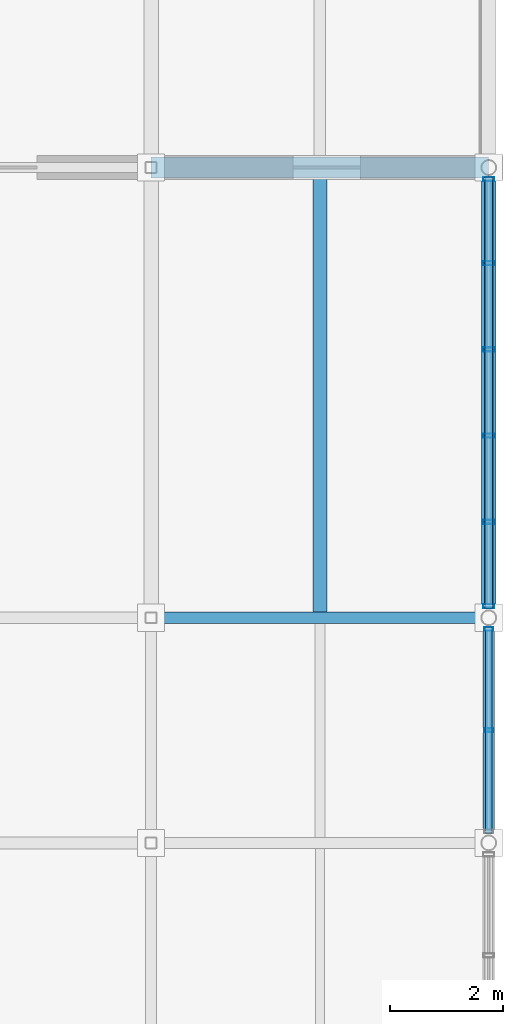
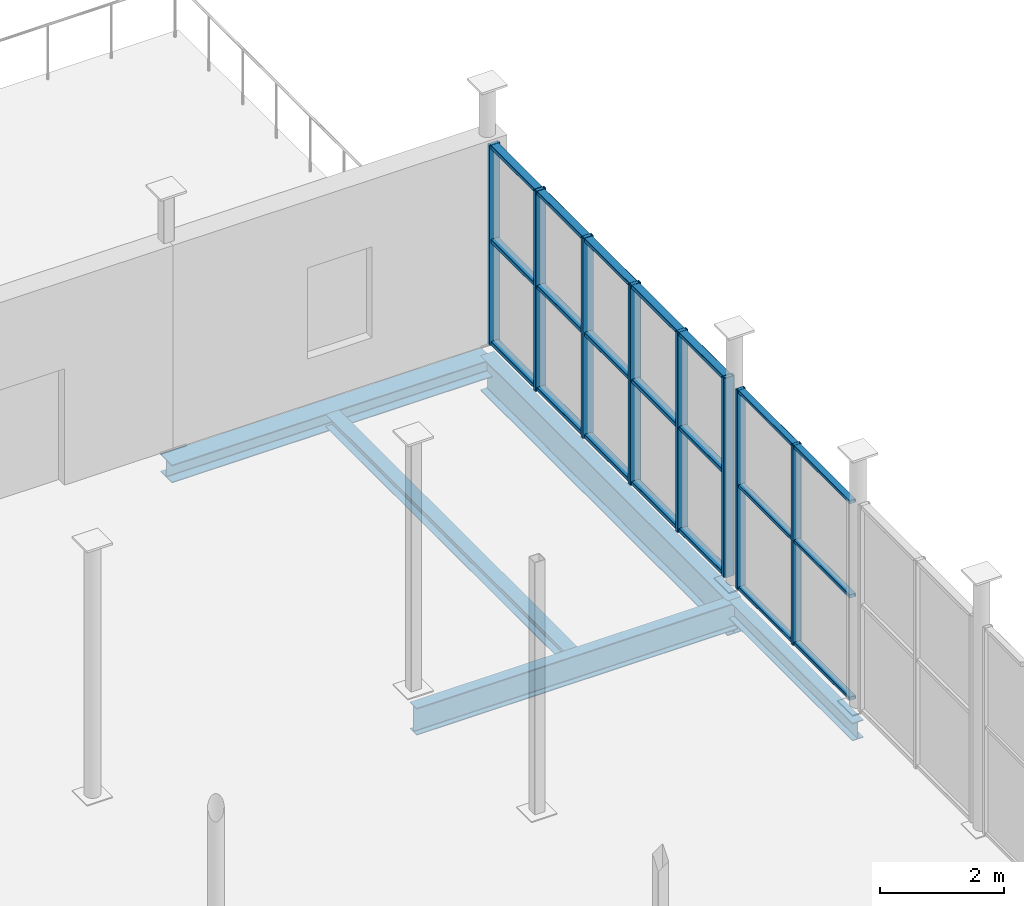
# One storey, part 18 of 27: 14 members, 5 beams, 2 elements without a shape of their own.
"""IFC4 building model written with IfcOpenShell, lengths in metres."""

import ifcopenshell
import ifcopenshell.guid

model = None  # the IFC model being written
_history = None  # IfcOwnerHistory: only IFC2X3 demands one
_inside = {}  # id of a spatial element -> (the spatial element, [elements in it])
_under = {}  # id of a project, library or spatial element -> (it, [spatial elements below it])
_declared = {}  # id of a project -> (the project, [libraries it declares])
_typed = {}  # id of a type object -> (the type object, [elements of that type])
_made_of = {}  # id of a material, layer set ... -> (it, [elements and type objects made of it])


def new_model(schema):
    """Start an empty IFC model of exactly this schema.

    Asked for "IFC4X3", IfcOpenShell would pick the latest addendum, in which some entities
    have other attributes; the version numbers below select the first issue.
    IFC2X3 requires an IfcOwnerHistory on every rooted entity: one is made here for all.
    """
    global model, _history
    if schema == "IFC4X3":
        model = ifcopenshell.file(schema_version=(4, 3, 0, 0))
    else:
        model = ifcopenshell.file(schema=schema)
    _inside.clear()
    _under.clear()
    _declared.clear()
    _typed.clear()
    _made_of.clear()
    _history = None
    if model.schema == "IFC2X3":
        org = make("IfcOrganization", Name="unknown")
        user = make(
            "IfcPersonAndOrganization",
            ThePerson=make("IfcPerson", FamilyName="unknown"),
            TheOrganization=org,
        )
        app = make(
            "IfcApplication",
            ApplicationDeveloper=org,
            Version="unknown",
            ApplicationFullName="unknown",
            ApplicationIdentifier="unknown",
        )
        _history = make(
            "IfcOwnerHistory",
            OwningUser=user,
            OwningApplication=app,
            ChangeAction="ADDED",
            CreationDate=0,
        )
    return model


def make(cls, **values):
    """One entity of the class cls with the attributes given. An attribute that is None is left unset."""
    return model.create_entity(
        cls, **{name: value for name, value in values.items() if value is not None}
    )


def rooted(cls, **values):
    """An entity with a GlobalId (a new one), such as an element, a storey or a relation."""
    return make(cls, GlobalId=ifcopenshell.guid.new(), OwnerHistory=_history, **values)


def si_unit(unit_type, name, prefix=None):
    """IfcSIUnit, for example si_unit("LENGTHUNIT", "METRE", prefix="MILLI")."""
    return make("IfcSIUnit", UnitType=unit_type, Prefix=prefix, Name=name)


def assignment(units):
    """IfcUnitAssignment: the units of a project."""
    return None if units is None else make("IfcUnitAssignment", Units=units)


def point(xyz):
    """IfcCartesianPoint."""
    return None if xyz is None else make("IfcCartesianPoint", Coordinates=xyz)


def direction(xyz):
    """IfcDirection."""
    return None if xyz is None else make("IfcDirection", DirectionRatios=xyz)


def frame(location, z_axis=None, x_axis=None):
    """IfcAxis2Placement3D, a coordinate frame: its origin and axes. An axis left out is left unset."""
    return make(
        "IfcAxis2Placement3D",
        Location=point(location),
        Axis=direction(z_axis),
        RefDirection=direction(x_axis),
    )


def frame_2d(location, x_axis=None):
    """IfcAxis2Placement2D, a coordinate frame in the plane: its origin and x axis."""
    return make(
        "IfcAxis2Placement2D", Location=point(location), RefDirection=direction(x_axis)
    )


def origin():
    """The frame at (0, 0, 0) with its axes left unset."""
    return frame((0.0, 0.0, 0.0))


def origin_2d():
    """The frame at (0, 0) in the plane with its x axis left unset."""
    return frame_2d((0.0, 0.0))


def place(relative_to, where):
    """IfcLocalPlacement: puts the frame where relative to a parent placement (None: the world)."""
    return make(
        "IfcLocalPlacement", PlacementRelTo=relative_to, RelativePlacement=where
    )


def context(
    kind, dimensions, precision=None, world=None, true_north=None, identifier=None
):
    """IfcGeometricRepresentationContext, for example the 3D "Model" context."""
    return make(
        "IfcGeometricRepresentationContext",
        ContextIdentifier=identifier,
        ContextType=kind,
        CoordinateSpaceDimension=dimensions,
        Precision=precision,
        WorldCoordinateSystem=world,
        TrueNorth=true_north,
    )


def subcontext(parent, identifier, kind, view, scale=None):
    """IfcGeometricRepresentationSubContext, for example "Body" below "Model"."""
    return make(
        "IfcGeometricRepresentationSubContext",
        ContextIdentifier=identifier,
        ContextType=kind,
        ParentContext=parent,
        TargetScale=scale,
        TargetView=view,
    )


def project(units=None, contexts=None):
    """IfcProject with its units and contexts."""
    return rooted(
        "IfcProject",
        Name="project",
        RepresentationContexts=contexts,
        UnitsInContext=assignment(units),
    )


def spatial(cls, under=None, at=None, **own):
    """A site, building, storey or space (cls), placed at a placement, below another one or the project."""
    s = rooted(cls, ObjectPlacement=at, **own)
    if under is not None:
        _under.setdefault(under.id(), (under, []))[1].append(s)
    return s


def profile(cls, at=None, kind="AREA", **sizes):
    """A parametric profile (cls). Its sizes go by their IFC names, for example OverallWidth=200.0."""
    return make(cls, ProfileType=kind, Position=at, **sizes)


def hollow_rectangle(**sizes):
    """IfcRectangleHollowProfileDef."""
    return profile("IfcRectangleHollowProfileDef", **sizes)


def i_section(**sizes):
    """IfcIShapeProfileDef."""
    return profile("IfcIShapeProfileDef", **sizes)


def extrude(swept, where, along, depth):
    """IfcExtrudedAreaSolid: the profile swept, set in the frame where, extruded along a direction by depth."""
    return make(
        "IfcExtrudedAreaSolid",
        SweptArea=swept,
        Position=where,
        ExtrudedDirection=direction(along),
        Depth=depth,
    )


def shape(context_of_items, identifier, shape_type, items):
    """IfcShapeRepresentation: the items that make up one representation, for example the "Body"."""
    return make(
        "IfcShapeRepresentation",
        ContextOfItems=context_of_items,
        RepresentationIdentifier=identifier,
        RepresentationType=shape_type,
        Items=items,
    )


def material(Name=None, Category=None):
    """IfcMaterial."""
    return make("IfcMaterial", Name=Name, Category=Category)


def material_profile(
    of_material, cross_section, Name=None, Category=None, Priority=None
):
    """IfcMaterialProfile: a cross section and its material."""
    return make(
        "IfcMaterialProfile",
        Name=Name,
        Material=of_material,
        Profile=cross_section,
        Priority=Priority,
        Category=Category,
    )


def profile_set(profiles, Name=None, composite=None):
    """IfcMaterialProfileSet."""
    return make(
        "IfcMaterialProfileSet",
        Name=Name,
        MaterialProfiles=profiles,
        CompositeProfile=composite,
    )


def made_of(thing, what):
    """Note that an element or type object is made of a material, layer set ...; save() writes the relation."""
    if what is not None:
        _made_of.setdefault(what.id(), (what, []))[1].append(thing)
    return thing


def type_object(cls, material=None, **own):
    """A type object (cls), such as IfcWallType, which elements share."""
    return made_of(rooted(cls, **own), material)


def element(
    cls,
    number,
    at=None,
    inside=None,
    cuts=None,
    type_object=None,
    material=None,
    context=None,
    identifier="Body",
    shape_type=None,
    held_by="IfcProductDefinitionShape",
    body=None,
    shapes=None,
    **own,
):
    """One element of the class cls, such as IfcWall. Its Tag is "e" and its number.

    at: its placement. inside: the storey or other place that contains it. cuts: it is an
    opening in that element (IfcRelVoidsElement). A single representation is given by context,
    identifier, shape_type and body (its items); several are given by shapes. held_by: the class
    of the entity that holds the representations. save() writes the other relations.
    """
    e = rooted(cls, Tag="e%d" % number, ObjectPlacement=at, **own)
    if body is not None:
        shapes = [shape(context, identifier, shape_type, body)]
    if shapes is not None:
        e.Representation = make(held_by, Representations=shapes)
    if inside is not None:
        _inside.setdefault(inside.id(), (inside, []))[1].append(e)
    if cuts is not None:
        rooted(
            "IfcRelVoidsElement", RelatingBuildingElement=cuts, RelatedOpeningElement=e
        )
    if type_object is not None:
        _typed.setdefault(type_object.id(), (type_object, []))[1].append(e)
    return made_of(e, material)


def aggregate(whole, parts):
    """IfcRelAggregates: a whole, such as a stair, and the parts it consists of."""
    return rooted("IfcRelAggregates", RelatingObject=whole, RelatedObjects=parts)


def save(model, path):
    """Write the relations noted so far, then the file.

    IfcRelAggregates (storeys below a building ...), IfcRelContainedInSpatialStructure (elements
    in a storey), IfcRelDefinesByType, IfcRelAssociatesMaterial and IfcRelDeclares: one each for
    every whole, place, type object, material and project.
    """
    for whole, parts in _under.values():
        aggregate(whole, parts)
    for where, things in _inside.values():
        rooted(
            "IfcRelContainedInSpatialStructure",
            RelatedElements=things,
            RelatingStructure=where,
        )
    for kind, things in _typed.values():
        rooted("IfcRelDefinesByType", RelatedObjects=things, RelatingType=kind)
    for what, things in _made_of.values():
        rooted("IfcRelAssociatesMaterial", RelatedObjects=things, RelatingMaterial=what)
    for by, libraries in _declared.values():
        rooted("IfcRelDeclares", RelatingContext=by, RelatedDefinitions=libraries)
    model.write(path)


model = new_model("IFC4")

# Units and contexts
model_context = context("Model", 3, precision=1e-05, world=origin(), true_north=direction((0.0, 1.0)))
body_context = subcontext(model_context, "Body", "Model", "MODEL_VIEW")
ifc_project = project(units=[si_unit("LENGTHUNIT", "METRE"), si_unit("AREAUNIT", "SQUARE_METRE"), si_unit("VOLUMEUNIT", "CUBIC_METRE"), si_unit("PLANEANGLEUNIT", "RADIAN"), si_unit("MASSUNIT", "GRAM", prefix="KILO")], contexts=[model_context])

# Site, building, storey
site_placement = place(None, origin())
site = spatial("IfcSite", under=ifc_project, at=site_placement, CompositionType="ELEMENT")
building_placement = place(site_placement, origin())
building = spatial("IfcBuilding", under=site, at=building_placement, Name="Verrall Gate Interchange", CompositionType="ELEMENT")
storey_placement = place(building_placement, frame((0.0, 0.0, 23.60009765625)))
storey = spatial("IfcBuildingStorey", under=building, at=storey_placement, Name="L06", CompositionType="ELEMENT", Elevation=23.60009765625)

# Beams
ifc_material_1 = material(Name="Structural Steel CSA G40.21 350WT Cat 4", Category="steel")
ifc_material_profile_1 = material_profile(ifc_material_1, i_section(OverallWidth=0.256103515625, OverallDepth=0.693115234375, WebThickness=0.01318359375, FlangeThickness=0.02001953125, FilletRadius=0.01611328125, at=origin_2d()), Name="W690x170")
ifc_profile_set_1 = profile_set([ifc_material_profile_1], Name="Structural Steel CSA G40.21 350WT Cat 4")
beam_type_1 = type_object("IfcBeamType", Name="B-07 Structural Beam W690x170", PredefinedType="BEAM", material=ifc_profile_set_1)
beam_1_placement = place(storey_placement, frame((36.0, 48.0, -0.676513671875), z_axis=(0.0, 1.0, 0.0), x_axis=(-1.0, 0.0, 0.0)))
element("IfcBeam", 1, at=beam_1_placement, inside=storey, type_object=beam_type_1, Name="L06 Girder BM-L06-3182 (B-07)", PredefinedType="BEAM", context=body_context, shape_type="SweptSolid", body=[
    extrude(i_section(OverallWidth=0.256103515625, OverallDepth=0.693115234375, WebThickness=0.01318359375, FlangeThickness=0.02001953125, FilletRadius=0.01611328125, at=origin_2d()), origin(), (0.0, 0.0, 1.0), 8.0),
])
ifc_material_2 = material(Name="Structural Steel CSA G40.21 350W", Category="steel")
ifc_material_profile_2 = material_profile(ifc_material_2, i_section(OverallWidth=0.2109375, OverallDepth=0.5390625, WebThickness=0.01171875, FlangeThickness=0.018798828125, FilletRadius=0.013916015625, at=origin_2d()), Name="W530x109")
ifc_profile_set_2 = profile_set([ifc_material_profile_2], Name="Structural Steel CSA G40.21 350W")
beam_type_2 = type_object("IfcBeamType", Name="B-10 Structural Beam W530x109", PredefinedType="BEAM", material=ifc_profile_set_2)
beam_2_placement = place(storey_placement, frame((30.0, 48.0, -0.599609375), z_axis=(1.0, 0.0, 0.0), x_axis=(0.0, 1.0, 0.0)))
element("IfcBeam", 2, at=beam_2_placement, inside=storey, type_object=beam_type_2, Name="L06 Girder BM-L06-3103 (B-10)", PredefinedType="BEAM", context=body_context, shape_type="SweptSolid", body=[
    extrude(i_section(OverallWidth=0.2109375, OverallDepth=0.5390625, WebThickness=0.01171875, FlangeThickness=0.018798828125, FilletRadius=0.013916015625, at=origin_2d()), origin(), (0.0, 0.0, 1.0), 6.0),
])
ifc_material_3 = material(Name="Structural Steel CSA G40.21 350W", Category="steel")
ifc_material_profile_3 = material_profile(ifc_material_3, i_section(OverallWidth=0.368896484375, OverallDepth=0.35595703125, WebThickness=0.01123046875, FlangeThickness=0.01806640625, FilletRadius=0.014892578125, at=origin_2d()), Name="W360x134")
ifc_profile_set_3 = profile_set([ifc_material_profile_3], Name="Structural Steel CSA G40.21 350W")
beam_type_3 = type_object("IfcBeamType", Name="B-13 Structural Beam W360x134", PredefinedType="BEAM", material=ifc_profile_set_3)
beam_3_placement = place(storey_placement, frame((30.0, 56.0, -0.508056640625), z_axis=(1.0, 0.0, 0.0), x_axis=(0.0, 1.0, 0.0)))
element("IfcBeam", 3, at=beam_3_placement, inside=storey, type_object=beam_type_3, Name="L06 Girder BM-L06-3107 (B-13)", PredefinedType="BEAM", context=body_context, shape_type="SweptSolid", body=[
    extrude(i_section(OverallWidth=0.368896484375, OverallDepth=0.35595703125, WebThickness=0.01123046875, FlangeThickness=0.01806640625, FilletRadius=0.014892578125, at=origin_2d()), origin(), (0.0, 0.0, 1.0), 6.0),
])
ifc_material_4 = material(Name="Structural Steel CSA G40.21 350W", Category="steel")
ifc_material_profile_4 = material_profile(ifc_material_4, i_section(OverallWidth=0.205078125, OverallDepth=0.35400390625, WebThickness=0.009521484375, FlangeThickness=0.016845703125, FilletRadius=0.012939453125, at=origin_2d()), Name="W360x79")
ifc_profile_set_4 = profile_set([ifc_material_profile_4], Name="Structural Steel CSA G40.21 350W")
beam_type_4 = type_object("IfcBeamType", Name="B-14 Structural Beam W360x79", PredefinedType="BEAM", material=ifc_profile_set_4)
beam_4_placement = place(storey_placement, frame((36.0, 44.0, -0.507080078125), z_axis=(0.0, 1.0, 0.0), x_axis=(-1.0, 0.0, 0.0)))
element("IfcBeam", 4, at=beam_4_placement, inside=storey, type_object=beam_type_4, Name="L06 Girder BM-L06-3181 (B-14)", PredefinedType="BEAM", context=body_context, shape_type="SweptSolid", body=[
    extrude(i_section(OverallWidth=0.205078125, OverallDepth=0.35400390625, WebThickness=0.009521484375, FlangeThickness=0.016845703125, FilletRadius=0.012939453125, at=origin_2d()), origin(), (0.0, 0.0, 1.0), 4.0),
])

# Curtain wall, members
ifc_material_5 = material(Name="Thermally Broken Anodized Aluminium Curtain Wall Framing", Category="aluminium")
curtain_wall_type_1 = type_object("IfcCurtainWallType", Name="CW-48 Unitized Curtain Wall 3663x3950", PredefinedType="NOTDEFINED", material=ifc_material_5)
curtain_wall_1_placement = place(storey_placement, origin())
curtain_wall_1 = element("IfcCurtainWall", 5, at=curtain_wall_1_placement, inside=storey, type_object=curtain_wall_type_1, Name="L06 Unitized Curtain Wall CW-L06-150", PredefinedType="NOTDEFINED")
ifc_material_6 = material(Name="Thermally Broken Anodized Aluminium Curtain Wall Framing", Category="aluminium")
ifc_material_profile_5 = material_profile(ifc_material_6, hollow_rectangle(XDim=0.06494140625, YDim=0.159912109375, WallThickness=0.00390625, InnerFilletRadius=0.00390625, OuterFilletRadius=0.008056640625, at=origin_2d()), Name="CWM160x65x4")
ifc_profile_set_5 = profile_set([ifc_material_profile_5], Name="Thermally Broken Anodized Aluminium Curtain Wall Framing")
member_type_1 = type_object("IfcMemberType", Name="CM-01 Curtain Mullion CWM160x65x4", PredefinedType="MULLION", material=ifc_profile_set_5)
member_1_placement = place(storey_placement, frame((36.0, 46.0, 0.0), z_axis=(0.0, 0.0, 1.0), x_axis=(0.0, 1.0, 0.0)))
member_1 = element("IfcMember", 6, at=member_1_placement, type_object=member_type_1, Name="CW-L06-150 Mullion 2", PredefinedType="MULLION", context=body_context, shape_type="SweptSolid", body=[
    extrude(hollow_rectangle(XDim=0.06494140625, YDim=0.159912109375, WallThickness=0.00390625, InnerFilletRadius=0.00390625, OuterFilletRadius=0.008056640625, at=origin_2d()), origin(), (0.0, 0.0, 1.0), 3.949951171875),
])
member_2_placement = place(storey_placement, frame((36.0, 47.798828125, 0.0), z_axis=(0.0, 0.0, 1.0), x_axis=(0.0, 1.0, 0.0)))
member_2 = element("IfcMember", 7, at=member_2_placement, type_object=member_type_1, Name="CW-L06-150 Mullion 3", PredefinedType="MULLION", context=body_context, shape_type="SweptSolid", body=[
    extrude(hollow_rectangle(XDim=0.06494140625, YDim=0.159912109375, WallThickness=0.00390625, InnerFilletRadius=0.00390625, OuterFilletRadius=0.008056640625, at=origin_2d()), origin(), (0.0, 0.0, 1.0), 3.949951171875),
])

ifc_material_7 = material(Name="Thermally Broken Anodized Aluminium Curtain Wall Framing", Category="aluminium")
curtain_wall_type_2 = type_object("IfcCurtainWallType", Name="CW-49 Unitized Curtain Wall 7663x3950", PredefinedType="NOTDEFINED", material=ifc_material_7)
curtain_wall_2_placement = place(storey_placement, origin())
curtain_wall_2 = element("IfcCurtainWall", 8, at=curtain_wall_2_placement, inside=storey, type_object=curtain_wall_type_2, Name="L06 Unitized Curtain Wall CW-L06-151", PredefinedType="NOTDEFINED")
ifc_material_8 = material(Name="Thermally Broken Anodized Aluminium Curtain Wall Framing", Category="aluminium")
ifc_material_profile_6 = material_profile(ifc_material_8, hollow_rectangle(XDim=0.074951171875, YDim=0.199951171875, WallThickness=0.0048828125, InnerFilletRadius=0.0048828125, OuterFilletRadius=0.010009765625, at=origin_2d()), Name="CWM200x75x5")
ifc_profile_set_6 = profile_set([ifc_material_profile_6], Name="Thermally Broken Anodized Aluminium Curtain Wall Framing")
member_type_2 = type_object("IfcMemberType", Name="CM-02 Curtain Mullion CWM200x75x5", PredefinedType="MULLION", material=ifc_profile_set_6)
member_3_placement = place(storey_placement, frame((36.0, 48.2060546875, 0.0), z_axis=(0.0, 0.0, 1.0), x_axis=(0.0, 1.0, 0.0)))
member_3 = element("IfcMember", 9, at=member_3_placement, type_object=member_type_2, Name="CW-L06-151 Mullion 1", PredefinedType="MULLION", context=body_context, shape_type="SweptSolid", body=[
    extrude(hollow_rectangle(XDim=0.074951171875, YDim=0.199951171875, WallThickness=0.0048828125, InnerFilletRadius=0.0048828125, OuterFilletRadius=0.010009765625, at=origin_2d()), origin(), (0.0, 0.0, 1.0), 3.949951171875),
])
member_4_placement = place(storey_placement, frame((36.0, 49.701171875, 0.0), z_axis=(0.0, 0.0, 1.0), x_axis=(0.0, 1.0, 0.0)))
member_4 = element("IfcMember", 10, at=member_4_placement, type_object=member_type_2, Name="CW-L06-151 Mullion 2", PredefinedType="MULLION", context=body_context, shape_type="SweptSolid", body=[
    extrude(hollow_rectangle(XDim=0.074951171875, YDim=0.199951171875, WallThickness=0.0048828125, InnerFilletRadius=0.0048828125, OuterFilletRadius=0.010009765625, at=origin_2d()), origin(), (0.0, 0.0, 1.0), 3.949951171875),
])
member_5_placement = place(storey_placement, frame((36.0, 51.233642578125, 0.0), z_axis=(0.0, 0.0, 1.0), x_axis=(0.0, 1.0, 0.0)))
member_5 = element("IfcMember", 11, at=member_5_placement, type_object=member_type_2, Name="CW-L06-151 Mullion 3", PredefinedType="MULLION", context=body_context, shape_type="SweptSolid", body=[
    extrude(hollow_rectangle(XDim=0.074951171875, YDim=0.199951171875, WallThickness=0.0048828125, InnerFilletRadius=0.0048828125, OuterFilletRadius=0.010009765625, at=origin_2d()), origin(), (0.0, 0.0, 1.0), 3.949951171875),
])
member_6_placement = place(storey_placement, frame((36.0, 52.766357421875, 0.0), z_axis=(0.0, 0.0, 1.0), x_axis=(0.0, 1.0, 0.0)))
member_6 = element("IfcMember", 12, at=member_6_placement, type_object=member_type_2, Name="CW-L06-151 Mullion 4", PredefinedType="MULLION", context=body_context, shape_type="SweptSolid", body=[
    extrude(hollow_rectangle(XDim=0.074951171875, YDim=0.199951171875, WallThickness=0.0048828125, InnerFilletRadius=0.0048828125, OuterFilletRadius=0.010009765625, at=origin_2d()), origin(), (0.0, 0.0, 1.0), 3.949951171875),
])
member_7_placement = place(storey_placement, frame((36.0, 54.298828125, 0.0), z_axis=(0.0, 0.0, 1.0), x_axis=(0.0, 1.0, 0.0)))
member_7 = element("IfcMember", 13, at=member_7_placement, type_object=member_type_2, Name="CW-L06-151 Mullion 5", PredefinedType="MULLION", context=body_context, shape_type="SweptSolid", body=[
    extrude(hollow_rectangle(XDim=0.074951171875, YDim=0.199951171875, WallThickness=0.0048828125, InnerFilletRadius=0.0048828125, OuterFilletRadius=0.010009765625, at=origin_2d()), origin(), (0.0, 0.0, 1.0), 3.949951171875),
])
member_8_placement = place(storey_placement, frame((36.0, 55.7939453125, 0.0), z_axis=(0.0, 0.0, 1.0), x_axis=(0.0, 1.0, 0.0)))
member_8 = element("IfcMember", 14, at=member_8_placement, type_object=member_type_2, Name="CW-L06-151 Mullion 6", PredefinedType="MULLION", context=body_context, shape_type="SweptSolid", body=[
    extrude(hollow_rectangle(XDim=0.074951171875, YDim=0.199951171875, WallThickness=0.0048828125, InnerFilletRadius=0.0048828125, OuterFilletRadius=0.010009765625, at=origin_2d()), origin(), (0.0, 0.0, 1.0), 3.949951171875),
])

# Member
ifc_material_9 = material(Name="Thermally Broken Anodized Aluminium Curtain Wall Framing", Category="aluminium")
ifc_material_profile_7 = material_profile(ifc_material_9, hollow_rectangle(XDim=0.1201171875, YDim=0.06494140625, WallThickness=0.00390625, InnerFilletRadius=0.00390625, OuterFilletRadius=0.008056640625, at=origin_2d()), Name="CWT120x65x4")
ifc_profile_set_7 = profile_set([ifc_material_profile_7], Name="Thermally Broken Anodized Aluminium Curtain Wall Framing")
member_type_3 = type_object("IfcMemberType", Name="CT-01 Curtain Transom CWT120x65x4", PredefinedType="USERDEFINED", material=ifc_profile_set_7)
member_9_placement = place(storey_placement, frame((36.0, 44.168701171875, 0.032470703125), z_axis=(0.0, 1.0, 0.0), x_axis=(-1.0, 0.0, 0.0)))
member_9 = element("IfcMember", 15, at=member_9_placement, type_object=member_type_3, Name="CW-L06-150 Transom 1", ObjectType="TRANSOM", PredefinedType="USERDEFINED", context=body_context, shape_type="SweptSolid", body=[
    extrude(hollow_rectangle(XDim=0.1201171875, YDim=0.06494140625, WallThickness=0.00390625, InnerFilletRadius=0.00390625, OuterFilletRadius=0.008056640625, at=origin_2d()), origin(), (0.0, 0.0, 1.0), 3.66259765625),
])

member_10_placement = place(storey_placement, frame((36.0, 44.168701171875, 2.053955078125), z_axis=(0.0, 1.0, 0.0), x_axis=(-1.0, 0.0, 0.0)))
member_10 = element("IfcMember", 16, at=member_10_placement, type_object=member_type_3, Name="CW-L06-150 Transom 2", ObjectType="TRANSOM", PredefinedType="USERDEFINED", context=body_context, shape_type="SweptSolid", body=[
    extrude(hollow_rectangle(XDim=0.1201171875, YDim=0.06494140625, WallThickness=0.00390625, InnerFilletRadius=0.00390625, OuterFilletRadius=0.008056640625, at=origin_2d()), origin(), (0.0, 0.0, 1.0), 3.66259765625),
])

member_11_placement = place(storey_placement, frame((36.0, 44.168701171875, 3.91748046875), z_axis=(0.0, 1.0, 0.0), x_axis=(-1.0, 0.0, 0.0)))
member_11 = element("IfcMember", 17, at=member_11_placement, type_object=member_type_3, Name="CW-L06-150 Transom 3", ObjectType="TRANSOM", PredefinedType="USERDEFINED", context=body_context, shape_type="SweptSolid", body=[
    extrude(hollow_rectangle(XDim=0.1201171875, YDim=0.06494140625, WallThickness=0.00390625, InnerFilletRadius=0.00390625, OuterFilletRadius=0.008056640625, at=origin_2d()), origin(), (0.0, 0.0, 1.0), 3.66259765625),
])

aggregate(curtain_wall_1, [member_1, member_2, member_9, member_10, member_11])

ifc_material_10 = material(Name="Thermally Broken Anodized Aluminium Curtain Wall Framing", Category="aluminium")
ifc_material_profile_8 = material_profile(ifc_material_10, hollow_rectangle(XDim=0.14990234375, YDim=0.074951171875, WallThickness=0.00439453125, InnerFilletRadius=0.00439453125, OuterFilletRadius=0.009033203125, at=origin_2d()), Name="CWT150x75x4.5")
ifc_profile_set_8 = profile_set([ifc_material_profile_8], Name="Thermally Broken Anodized Aluminium Curtain Wall Framing")
member_type_4 = type_object("IfcMemberType", Name="CT-02 Curtain Transom CWT150x75x4.5", PredefinedType="USERDEFINED", material=ifc_profile_set_8)
member_12_placement = place(storey_placement, frame((36.0, 48.168701171875, 0.037353515625), z_axis=(0.0, 1.0, 0.0), x_axis=(-1.0, 0.0, 0.0)))
member_12 = element("IfcMember", 18, at=member_12_placement, type_object=member_type_4, Name="CW-L06-151 Transom 1", ObjectType="TRANSOM", PredefinedType="USERDEFINED", context=body_context, shape_type="SweptSolid", body=[
    extrude(hollow_rectangle(XDim=0.14990234375, YDim=0.074951171875, WallThickness=0.00439453125, InnerFilletRadius=0.00439453125, OuterFilletRadius=0.009033203125, at=origin_2d()), origin(), (0.0, 0.0, 1.0), 7.66259765625),
])

member_13_placement = place(storey_placement, frame((36.0, 48.168701171875, 2.053955078125), z_axis=(0.0, 1.0, 0.0), x_axis=(-1.0, 0.0, 0.0)))
member_13 = element("IfcMember", 19, at=member_13_placement, type_object=member_type_4, Name="CW-L06-151 Transom 2", ObjectType="TRANSOM", PredefinedType="USERDEFINED", context=body_context, shape_type="SweptSolid", body=[
    extrude(hollow_rectangle(XDim=0.14990234375, YDim=0.074951171875, WallThickness=0.00439453125, InnerFilletRadius=0.00439453125, OuterFilletRadius=0.009033203125, at=origin_2d()), origin(), (0.0, 0.0, 1.0), 7.66259765625),
])

member_14_placement = place(storey_placement, frame((36.0, 48.168701171875, 3.912353515625), z_axis=(0.0, 1.0, 0.0), x_axis=(-1.0, 0.0, 0.0)))
member_14 = element("IfcMember", 20, at=member_14_placement, type_object=member_type_4, Name="CW-L06-151 Transom 3", ObjectType="TRANSOM", PredefinedType="USERDEFINED", context=body_context, shape_type="SweptSolid", body=[
    extrude(hollow_rectangle(XDim=0.14990234375, YDim=0.074951171875, WallThickness=0.00439453125, InnerFilletRadius=0.00439453125, OuterFilletRadius=0.009033203125, at=origin_2d()), origin(), (0.0, 0.0, 1.0), 7.66259765625),
])

aggregate(curtain_wall_2, [member_3, member_4, member_5, member_6, member_7, member_8, member_12, member_13, member_14])

# Beam
ifc_material_11 = material(Name="Structural Steel CSA G40.21 350W", Category="steel")
ifc_material_profile_9 = material_profile(ifc_material_11, i_section(OverallWidth=0.25390625, OverallDepth=0.2529296875, WebThickness=0.008544921875, FlangeThickness=0.01416015625, FilletRadius=0.011962890625, at=origin_2d()), Name="W250x73")
ifc_profile_set_9 = profile_set([ifc_material_profile_9], Name="Structural Steel CSA G40.21 350W")
beam_type_5 = type_object("IfcBeamType", Name="J-05 Floor Joist W250x73", PredefinedType="JOIST", material=ifc_profile_set_9)
beam_5_placement = place(storey_placement, frame((33.0, 48.10546875, -0.45654296875), z_axis=(0.0, 1.0, 0.0), x_axis=(-1.0, 0.0, 0.0)))
element("IfcBeam", 21, at=beam_5_placement, inside=storey, type_object=beam_type_5, Name="L06 Secondary Floor Joist JST-L06-3218", PredefinedType="JOIST", context=body_context, shape_type="SweptSolid", body=[
    extrude(i_section(OverallWidth=0.25390625, OverallDepth=0.2529296875, WebThickness=0.008544921875, FlangeThickness=0.01416015625, FilletRadius=0.011962890625, at=origin_2d()), origin(), (0.0, 0.0, 1.0), 7.7099609375),
])

save(model, "model.ifc")
